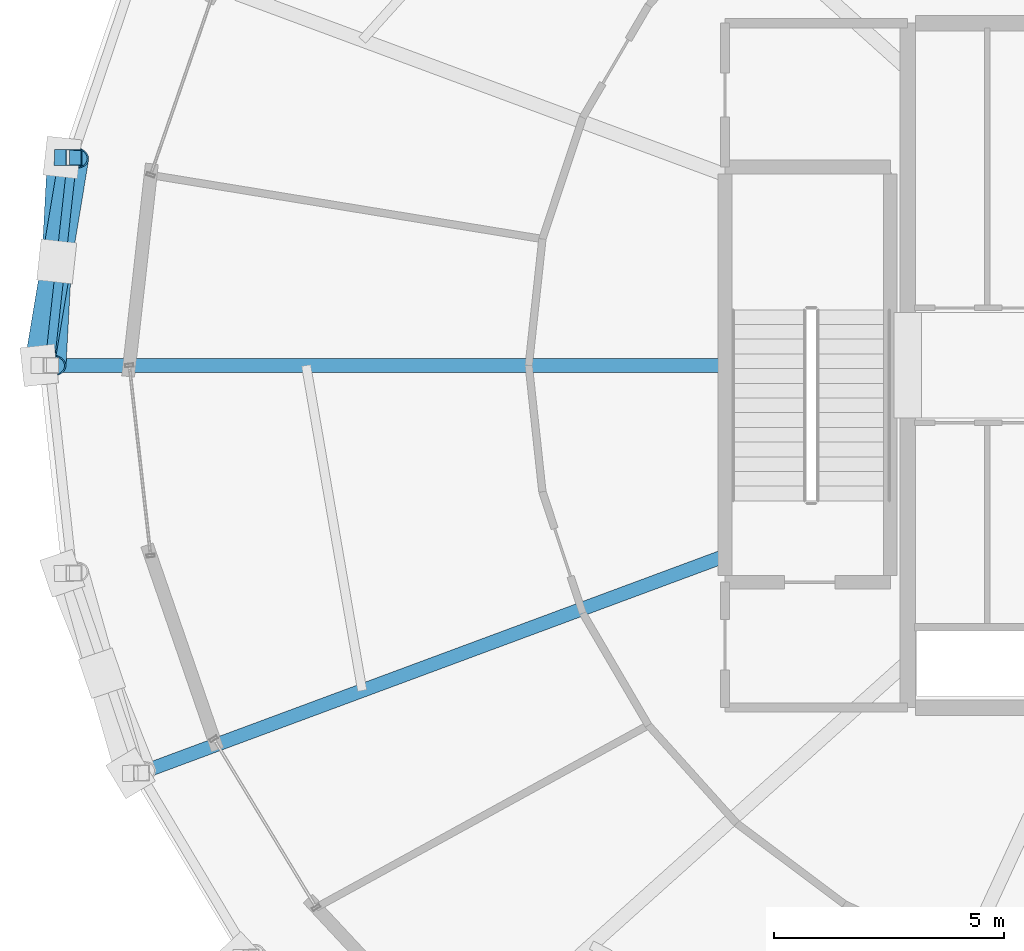
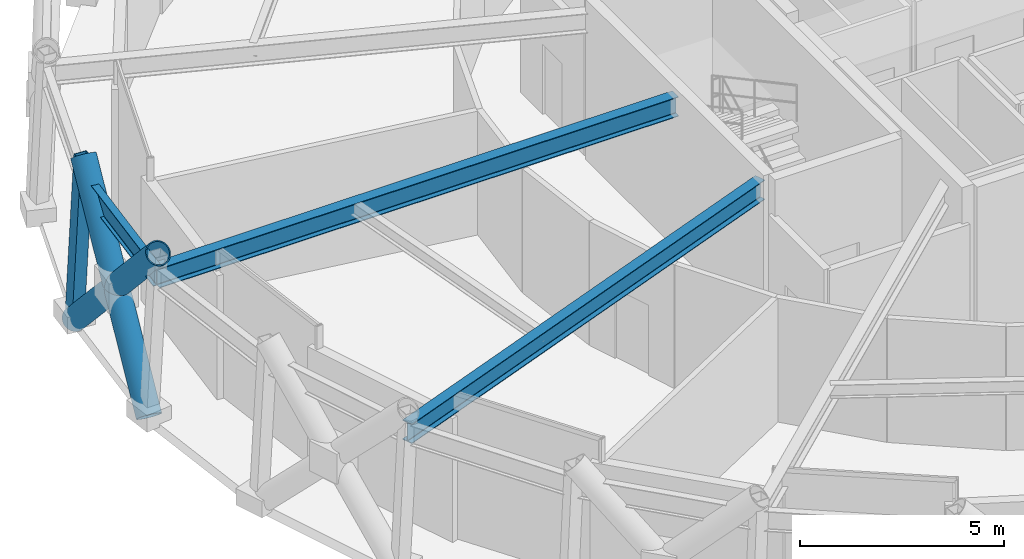
# One storey, part 7 of 29: 4 members, 3 beams.
"""IFC4 building model written with IfcOpenShell, lengths in metres."""

from ifc_helpers import new_model, si_unit, direction, frame, origin, origin_2d, place, context, subcontext, project, spatial, hollow_rectangle, hollow_circle, i_section, extrude, material, material_profile, profile_set, type_object, element, save


model = new_model("IFC4")

# Units and contexts
model_context = context("Model", 3, precision=1e-05, world=origin(), true_north=direction((0.0, 1.0)))
body_context = subcontext(model_context, "Body", "Model", "MODEL_VIEW")
ifc_project = project(units=[si_unit("LENGTHUNIT", "METRE"), si_unit("AREAUNIT", "SQUARE_METRE"), si_unit("VOLUMEUNIT", "CUBIC_METRE"), si_unit("PLANEANGLEUNIT", "RADIAN"), si_unit("MASSUNIT", "GRAM", prefix="KILO")], contexts=[model_context])

# Site, building, storey
site_placement = place(None, origin())
site = spatial("IfcSite", under=ifc_project, at=site_placement, CompositionType="ELEMENT")
building_placement = place(site_placement, origin())
building = spatial("IfcBuilding", under=site, at=building_placement, Name="Veldorina Hangang Commons", CompositionType="ELEMENT")
storey_placement = place(building_placement, frame((0.0, 0.0, 203.60009765625)))
storey = spatial("IfcBuildingStorey", under=building, at=storey_placement, Name="L53", CompositionType="ELEMENT", Elevation=203.60009765625)

# Beams
ifc_material_1 = material(Name="Steel SM460-TMC", Category="steel")
ifc_material_profile_1 = material_profile(ifc_material_1, i_section(OverallWidth=0.300048828125, OverallDepth=0.587890625, WebThickness=0.011962890625, FlangeThickness=0.02001953125, FilletRadius=0.01806640625, at=origin_2d()), Name="H-588x300x12x20")
ifc_profile_set_1 = profile_set([ifc_material_profile_1], Name="Steel SM460-TMC")
beam_type_1 = type_object("IfcBeamType", Name="BM-FG588", PredefinedType="BEAM", material=ifc_profile_set_1)
beam_1_placement = place(storey_placement, frame((20.820068359375, 24.0, 4.14599609375), z_axis=(-1.0, 0.0, 0.0), x_axis=(0.0, -1.0, 0.0)))
element("IfcBeam", 1, at=beam_1_placement, inside=storey, type_object=beam_type_1, Name="L53 radial floor girder 09", PredefinedType="BEAM", context=body_context, shape_type="SweptSolid", body=[
    extrude(i_section(OverallWidth=0.300048828125, OverallDepth=0.587890625, WebThickness=0.011962890625, FlangeThickness=0.02001953125, FilletRadius=0.01806640625, at=origin_2d()), origin(), (0.0, 0.0, 1.0), 14.70458984375),
])
beam_2_placement = place(storey_placement, frame((20.820068359375, 19.8505859375, 4.14599609375), z_axis=(-0.937515253418, -0.347944175994, 0.0), x_axis=(0.347944175994, -0.937515253418, 0.0)))
element("IfcBeam", 2, at=beam_2_placement, inside=storey, type_object=beam_type_1, Name="L53 radial floor girder 10", PredefinedType="BEAM", context=body_context, shape_type="SweptSolid", body=[
    extrude(i_section(OverallWidth=0.300048828125, OverallDepth=0.587890625, WebThickness=0.011962890625, FlangeThickness=0.02001953125, FilletRadius=0.01806640625, at=origin_2d()), origin(), (0.0, 0.0, 1.0), 13.582763671875),
])
ifc_material_2 = material(Name="Steel SM420-TMC", Category="steel")
ifc_material_profile_2 = material_profile(ifc_material_2, i_section(OverallWidth=0.199951171875, OverallDepth=0.60009765625, WebThickness=0.010986328125, FlangeThickness=0.01708984375, FilletRadius=0.01806640625, at=origin_2d()), Name="H-600x200x11x17")
ifc_profile_set_2 = profile_set([ifc_material_profile_2], Name="Steel SM420-TMC")
beam_type_2 = type_object("IfcBeamType", Name="BM-RB600", PredefinedType="BEAM", material=ifc_profile_set_2)
beam_3_placement = place(storey_placement, frame((6.61279296875, 28.524658203125, 4.139892578125), z_axis=(-0.109254099199, -0.994013853932, 0.0), x_axis=(0.994013853932, -0.109254099199, 0.0)))
element("IfcBeam", 3, at=beam_3_placement, inside=storey, type_object=beam_type_2, Name="L53 perimeter hoop ring beam 15", PredefinedType="BEAM", context=body_context, shape_type="SweptSolid", body=[
    extrude(i_section(OverallWidth=0.199951171875, OverallDepth=0.60009765625, WebThickness=0.010986328125, FlangeThickness=0.01708984375, FilletRadius=0.01806640625, at=origin_2d()), origin(), (0.0, 0.0, 1.0), 4.552001953125),
])

# Members
ifc_material_profile_3 = material_profile(ifc_material_1, hollow_circle(Radius=0.324951171875, WallThickness=0.031982421875, at=origin_2d()), Name="CHS-650x32")
ifc_profile_set_3 = profile_set([ifc_material_profile_3], Name="Steel SM460-TMC")
member_type_1 = type_object("IfcMemberType", Name="DG-CHS650", PredefinedType="BRACE", material=ifc_profile_set_3)
member_1_placement = place(storey_placement, frame((6.3955078125, 28.526611328125, 0.0), z_axis=(-0.037053003155, -0.685628474553, 0.72700802598), x_axis=(0.99854290081, -0.053963647409, 0.0)))
element("IfcMember", 4, at=member_1_placement, inside=storey, type_object=member_type_1, Name="L53 continuous perimeter diagrid brace 15", PredefinedType="BRACE", context=body_context, shape_type="SweptSolid", body=[
    extrude(hollow_circle(Radius=0.324951171875, WallThickness=0.031982421875, at=origin_2d()), origin(), (0.0, 0.0, 1.0), 6.60205078125),
])
member_2_placement = place(storey_placement, frame((5.893798828125, 24.0, 0.0), z_axis=(0.114252775627, 0.681399436622, 0.722939216693), x_axis=(-0.986232393507, 0.165365250271, 0.0)))
element("IfcMember", 5, at=member_2_placement, inside=storey, type_object=member_type_1, Name="L53 split perimeter diagrid lower brace 16", PredefinedType="BRACE", context=body_context, shape_type="SweptSolid", body=[
    extrude(hollow_circle(Radius=0.324951171875, WallThickness=0.031982421875, at=origin_2d()), origin(), (0.0, 0.0, 1.0), 3.320556640625),
])
member_3_placement = place(storey_placement, frame((6.273193359375, 26.2626953125, 2.400634765625), z_axis=(0.112787162432, 0.681578781976, 0.723000290423), x_axis=(-0.986583231963, 0.163259077569, 0.0)))
element("IfcMember", 6, at=member_3_placement, inside=storey, type_object=member_type_1, Name="L53 split perimeter diagrid upper brace 16", PredefinedType="BRACE", context=body_context, shape_type="SweptSolid", body=[
    extrude(hollow_circle(Radius=0.324951171875, WallThickness=0.031982421875, at=origin_2d()), origin(), (0.0, 0.0, 1.0), 3.318359375),
])
ifc_material_3 = material(Name="Steel SM355-TMC", Category="steel")
ifc_material_profile_4 = material_profile(ifc_material_3, hollow_rectangle(XDim=0.35009765625, YDim=0.35009765625, WallThickness=0.01611328125, at=origin_2d()), Name="SHS-350x350x16")
ifc_profile_set_4 = profile_set([ifc_material_profile_4], Name="Steel SM355-TMC")
member_type_2 = type_object("IfcMemberType", Name="STR-SHS350", PredefinedType="STRUT", material=ifc_profile_set_4)
member_4_placement = place(storey_placement, frame((6.3955078125, 28.526611328125, 0.0), z_axis=(0.052420193908, -0.000457152854, 0.998625011845), x_axis=(0.008720598618, 0.999961974857, 0.0)))
element("IfcMember", 7, at=member_4_placement, inside=storey, type_object=member_type_2, Name="L53 perimeter ring node post 15", PredefinedType="STRUT", context=body_context, shape_type="SweptSolid", body=[
    extrude(hollow_rectangle(XDim=0.35009765625, YDim=0.35009765625, WallThickness=0.01611328125, at=origin_2d()), origin(), (0.0, 0.0, 1.0), 4.806396484375),
])

save(model, "model.ifc")
